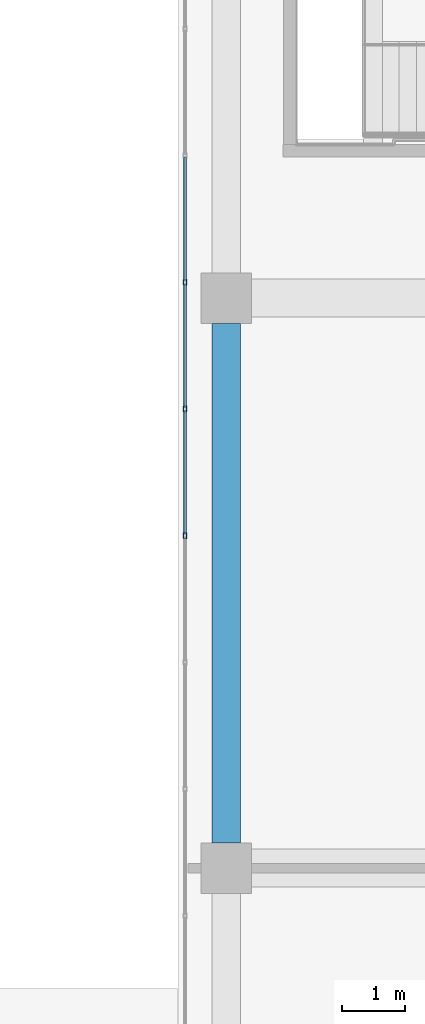
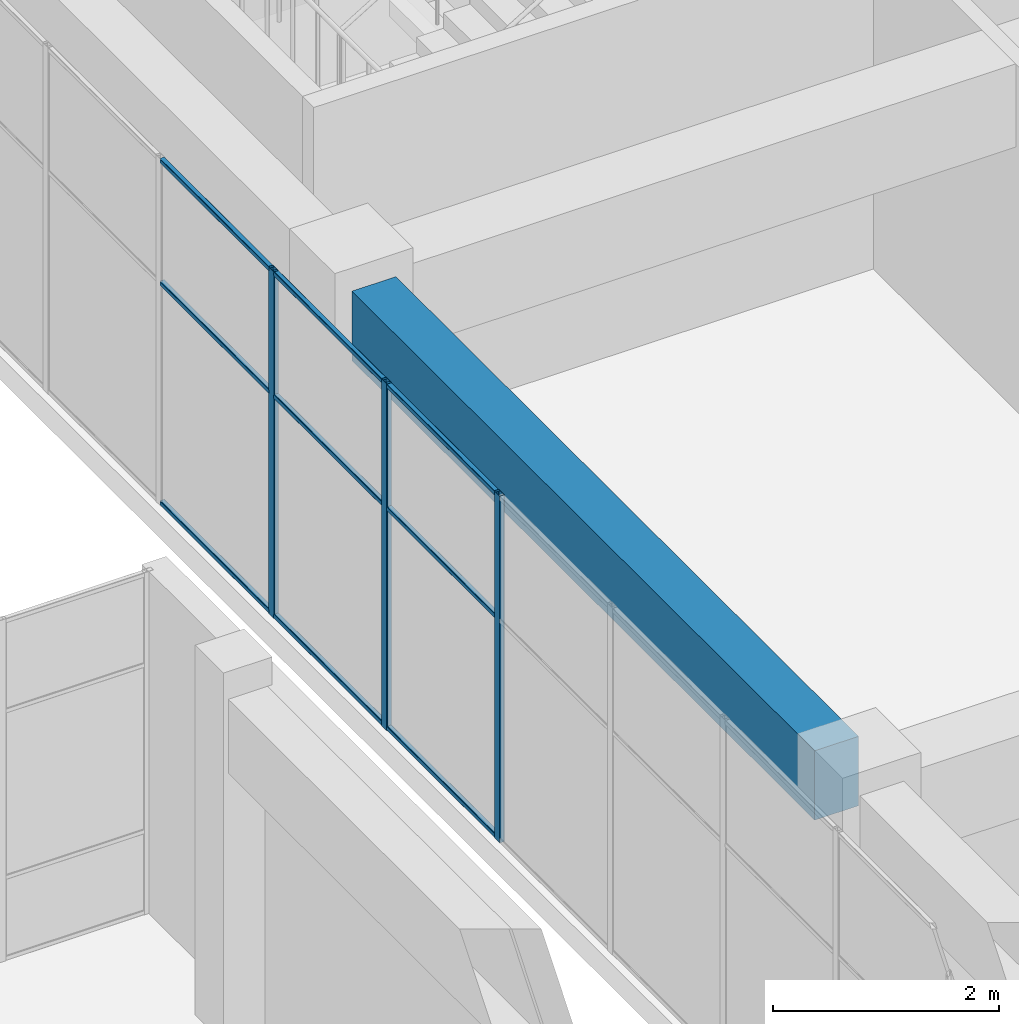
# One storey, part 28 of 66: 12 members, 1 beam, 1 element without a shape of its own.
"""IFC4 building model written with IfcOpenShell, lengths in metres."""

from ifc_helpers import new_model, si_unit, direction, frame, origin, origin_2d, place, context, subcontext, project, spatial, rectangle, hollow_rectangle, extrude, material, layer, layer_set, material_profile, profile_set, type_object, element, aggregate, save


model = new_model("IFC4")

# Units and contexts
model_context = context("Model", 3, precision=1e-05, world=origin(), true_north=direction((0.0, 1.0)))
body_context = subcontext(model_context, "Body", "Model", "MODEL_VIEW")
ifc_project = project(units=[si_unit("LENGTHUNIT", "METRE"), si_unit("AREAUNIT", "SQUARE_METRE"), si_unit("VOLUMEUNIT", "CUBIC_METRE"), si_unit("PLANEANGLEUNIT", "RADIAN"), si_unit("MASSUNIT", "GRAM", prefix="KILO")], contexts=[model_context])

# Site, building, storey
site_placement = place(None, origin())
site = spatial("IfcSite", under=ifc_project, at=site_placement, CompositionType="ELEMENT")
building_placement = place(site_placement, origin())
building = spatial("IfcBuilding", under=site, at=building_placement, Name="Tuart Plaza Theatre", CompositionType="ELEMENT")
storey_placement = place(building_placement, frame((0.0, 0.0, 5.5)))
storey = spatial("IfcBuildingStorey", under=building, at=storey_placement, Name="L01", CompositionType="ELEMENT", Elevation=5.5)

# Beam
ifc_material_1 = material(Name="Concrete N40 (40 MPa)", Category="concrete")
ifc_material_profile_1 = material_profile(ifc_material_1, rectangle(XDim=0.449951171875, YDim=0.75, at=origin_2d()), Name="BEAM 450x750 Concrete N40 (40 MPa)")
ifc_profile_set_1 = profile_set([ifc_material_profile_1], Name="Concrete N40 (40 MPa)")
beam_type = type_object("IfcBeamType", Name="BEAM 450x750 Concrete N40 (40 MPa)", PredefinedType="BEAM", material=ifc_profile_set_1)
beam_placement = place(storey_placement, frame((114.0, 74.39990234375, 3.375), z_axis=(0.0, 1.0, 0.0), x_axis=(-1.0, 0.0, 0.0)))
element("IfcBeam", 1, at=beam_placement, inside=storey, type_object=beam_type, Name="RB166", PredefinedType="BEAM", context=body_context, shape_type="SweptSolid", body=[
    extrude(rectangle(XDim=0.449951171875, YDim=0.75, at=origin_2d()), origin(), (0.0, 0.0, 1.0), 8.2001953125),
])

# Curtain wall, members
ifc_material_2 = material(Name="Aluminium and glass", Category="aluminium")
ifc_layer = layer(ifc_material_2, 0.10009765625)
ifc_layer_set = layer_set([ifc_layer], Name="CURTAIN WALL 2000 module")
curtain_wall_type = type_object("IfcCurtainWallType", Name="CURTAIN WALL 2000 module", PredefinedType="NOTDEFINED", material=ifc_layer_set)
curtain_wall_placement = place(storey_placement, origin())
curtain_wall = element("IfcCurtainWall", 2, at=curtain_wall_placement, inside=storey, type_object=curtain_wall_type, Name="CW73", PredefinedType="NOTDEFINED")
ifc_material_3 = material(Name="Aluminium 6063-T5", Category="aluminium")
ifc_material_profile_2 = material_profile(ifc_material_3, hollow_rectangle(XDim=0.050048828125, YDim=0.10009765625, WallThickness=0.00390625, InnerFilletRadius=0.00390625, OuterFilletRadius=0.008056640625, at=origin_2d()), Name="RHS 100x50x4")
ifc_profile_set_2 = profile_set([ifc_material_profile_2], Name="Aluminium 6063-T5")
member_type_1 = type_object("IfcMemberType", Name="MULLION RHS 100x50x4", PredefinedType="MULLION", material=ifc_profile_set_2)
member_1_placement = place(storey_placement, frame((113.35009765625, 83.25, 0.0), z_axis=(0.0, 0.0, 1.0), x_axis=(1.0, 0.0, 0.0)))
member_1 = element("IfcMember", 3, at=member_1_placement, type_object=member_type_1, Name="CW73 mullion 8", PredefinedType="MULLION", context=body_context, shape_type="SweptSolid", body=[
    extrude(hollow_rectangle(XDim=0.050048828125, YDim=0.10009765625, WallThickness=0.00390625, InnerFilletRadius=0.00390625, OuterFilletRadius=0.008056640625, at=origin_2d()), origin(), (0.0, 0.0, 1.0), 3.75),
])
member_2_placement = place(storey_placement, frame((113.35009765625, 81.25, 0.0), z_axis=(0.0, 0.0, 1.0), x_axis=(1.0, 0.0, 0.0)))
member_2 = element("IfcMember", 4, at=member_2_placement, type_object=member_type_1, Name="CW73 mullion 9", PredefinedType="MULLION", context=body_context, shape_type="SweptSolid", body=[
    extrude(hollow_rectangle(XDim=0.050048828125, YDim=0.10009765625, WallThickness=0.00390625, InnerFilletRadius=0.00390625, OuterFilletRadius=0.008056640625, at=origin_2d()), origin(), (0.0, 0.0, 1.0), 3.75),
])
member_3_placement = place(storey_placement, frame((113.35009765625, 79.25, 0.0), z_axis=(0.0, 0.0, 1.0), x_axis=(1.0, 0.0, 0.0)))
member_3 = element("IfcMember", 5, at=member_3_placement, type_object=member_type_1, Name="CW73 mullion 10", PredefinedType="MULLION", context=body_context, shape_type="SweptSolid", body=[
    extrude(hollow_rectangle(XDim=0.050048828125, YDim=0.10009765625, WallThickness=0.00390625, InnerFilletRadius=0.00390625, OuterFilletRadius=0.008056640625, at=origin_2d()), origin(), (0.0, 0.0, 1.0), 3.75),
])
ifc_material_4 = material(Name="Aluminium 6063-T5", Category="aluminium")
ifc_material_profile_3 = material_profile(ifc_material_4, hollow_rectangle(XDim=0.050048828125, YDim=0.050048828125, WallThickness=0.00390625, InnerFilletRadius=0.00390625, OuterFilletRadius=0.008056640625, at=origin_2d()), Name="RHS 50x50x4")
ifc_profile_set_3 = profile_set([ifc_material_profile_3], Name="Aluminium 6063-T5")
member_type_2 = type_object("IfcMemberType", Name="TRANSOM RHS 50x50x4", PredefinedType="USERDEFINED", material=ifc_profile_set_3)
member_4_placement = place(storey_placement, frame((113.35009765625, 85.22509765625, 0.02490234375), z_axis=(0.0, -1.0, 0.0), x_axis=(1.0, 0.0, 0.0)))
member_4 = element("IfcMember", 6, at=member_4_placement, type_object=member_type_2, Name="CW73 transom 7.1", ObjectType="TRANSOM", PredefinedType="USERDEFINED", context=body_context, shape_type="SweptSolid", body=[
    extrude(hollow_rectangle(XDim=0.050048828125, YDim=0.050048828125, WallThickness=0.00390625, InnerFilletRadius=0.00390625, OuterFilletRadius=0.008056640625, at=origin_2d()), origin(), (0.0, 0.0, 1.0), 1.9501953125),
])
member_5_placement = place(storey_placement, frame((113.35009765625, 85.22509765625, 2.39990234375), z_axis=(0.0, -1.0, 0.0), x_axis=(1.0, 0.0, 0.0)))
member_5 = element("IfcMember", 7, at=member_5_placement, type_object=member_type_2, Name="CW73 transom 7.2", ObjectType="TRANSOM", PredefinedType="USERDEFINED", context=body_context, shape_type="SweptSolid", body=[
    extrude(hollow_rectangle(XDim=0.050048828125, YDim=0.050048828125, WallThickness=0.00390625, InnerFilletRadius=0.00390625, OuterFilletRadius=0.008056640625, at=origin_2d()), origin(), (0.0, 0.0, 1.0), 1.9501953125),
])
member_6_placement = place(storey_placement, frame((113.35009765625, 85.22509765625, 3.72509765625), z_axis=(0.0, -1.0, 0.0), x_axis=(1.0, 0.0, 0.0)))
member_6 = element("IfcMember", 8, at=member_6_placement, type_object=member_type_2, Name="CW73 transom 7.3", ObjectType="TRANSOM", PredefinedType="USERDEFINED", context=body_context, shape_type="SweptSolid", body=[
    extrude(hollow_rectangle(XDim=0.050048828125, YDim=0.050048828125, WallThickness=0.00390625, InnerFilletRadius=0.00390625, OuterFilletRadius=0.008056640625, at=origin_2d()), origin(), (0.0, 0.0, 1.0), 1.9501953125),
])
member_7_placement = place(storey_placement, frame((113.35009765625, 83.22509765625, 0.02490234375), z_axis=(0.0, -1.0, 0.0), x_axis=(1.0, 0.0, 0.0)))
member_7 = element("IfcMember", 9, at=member_7_placement, type_object=member_type_2, Name="CW73 transom 8.1", ObjectType="TRANSOM", PredefinedType="USERDEFINED", context=body_context, shape_type="SweptSolid", body=[
    extrude(hollow_rectangle(XDim=0.050048828125, YDim=0.050048828125, WallThickness=0.00390625, InnerFilletRadius=0.00390625, OuterFilletRadius=0.008056640625, at=origin_2d()), origin(), (0.0, 0.0, 1.0), 1.9501953125),
])
member_8_placement = place(storey_placement, frame((113.35009765625, 83.22509765625, 2.39990234375), z_axis=(0.0, -1.0, 0.0), x_axis=(1.0, 0.0, 0.0)))
member_8 = element("IfcMember", 10, at=member_8_placement, type_object=member_type_2, Name="CW73 transom 8.2", ObjectType="TRANSOM", PredefinedType="USERDEFINED", context=body_context, shape_type="SweptSolid", body=[
    extrude(hollow_rectangle(XDim=0.050048828125, YDim=0.050048828125, WallThickness=0.00390625, InnerFilletRadius=0.00390625, OuterFilletRadius=0.008056640625, at=origin_2d()), origin(), (0.0, 0.0, 1.0), 1.9501953125),
])
member_9_placement = place(storey_placement, frame((113.35009765625, 83.22509765625, 3.72509765625), z_axis=(0.0, -1.0, 0.0), x_axis=(1.0, 0.0, 0.0)))
member_9 = element("IfcMember", 11, at=member_9_placement, type_object=member_type_2, Name="CW73 transom 8.3", ObjectType="TRANSOM", PredefinedType="USERDEFINED", context=body_context, shape_type="SweptSolid", body=[
    extrude(hollow_rectangle(XDim=0.050048828125, YDim=0.050048828125, WallThickness=0.00390625, InnerFilletRadius=0.00390625, OuterFilletRadius=0.008056640625, at=origin_2d()), origin(), (0.0, 0.0, 1.0), 1.9501953125),
])
member_10_placement = place(storey_placement, frame((113.35009765625, 81.22509765625, 0.02490234375), z_axis=(0.0, -1.0, 0.0), x_axis=(1.0, 0.0, 0.0)))
member_10 = element("IfcMember", 12, at=member_10_placement, type_object=member_type_2, Name="CW73 transom 9.1", ObjectType="TRANSOM", PredefinedType="USERDEFINED", context=body_context, shape_type="SweptSolid", body=[
    extrude(hollow_rectangle(XDim=0.050048828125, YDim=0.050048828125, WallThickness=0.00390625, InnerFilletRadius=0.00390625, OuterFilletRadius=0.008056640625, at=origin_2d()), origin(), (0.0, 0.0, 1.0), 1.9501953125),
])
member_11_placement = place(storey_placement, frame((113.35009765625, 81.22509765625, 2.39990234375), z_axis=(0.0, -1.0, 0.0), x_axis=(1.0, 0.0, 0.0)))
member_11 = element("IfcMember", 13, at=member_11_placement, type_object=member_type_2, Name="CW73 transom 9.2", ObjectType="TRANSOM", PredefinedType="USERDEFINED", context=body_context, shape_type="SweptSolid", body=[
    extrude(hollow_rectangle(XDim=0.050048828125, YDim=0.050048828125, WallThickness=0.00390625, InnerFilletRadius=0.00390625, OuterFilletRadius=0.008056640625, at=origin_2d()), origin(), (0.0, 0.0, 1.0), 1.9501953125),
])
member_12_placement = place(storey_placement, frame((113.35009765625, 81.22509765625, 3.72509765625), z_axis=(0.0, -1.0, 0.0), x_axis=(1.0, 0.0, 0.0)))
member_12 = element("IfcMember", 14, at=member_12_placement, type_object=member_type_2, Name="CW73 transom 9.3", ObjectType="TRANSOM", PredefinedType="USERDEFINED", context=body_context, shape_type="SweptSolid", body=[
    extrude(hollow_rectangle(XDim=0.050048828125, YDim=0.050048828125, WallThickness=0.00390625, InnerFilletRadius=0.00390625, OuterFilletRadius=0.008056640625, at=origin_2d()), origin(), (0.0, 0.0, 1.0), 1.9501953125),
])
aggregate(curtain_wall, [member_1, member_2, member_3, member_4, member_5, member_6, member_7, member_8, member_9, member_10, member_11, member_12])

save(model, "model.ifc")
